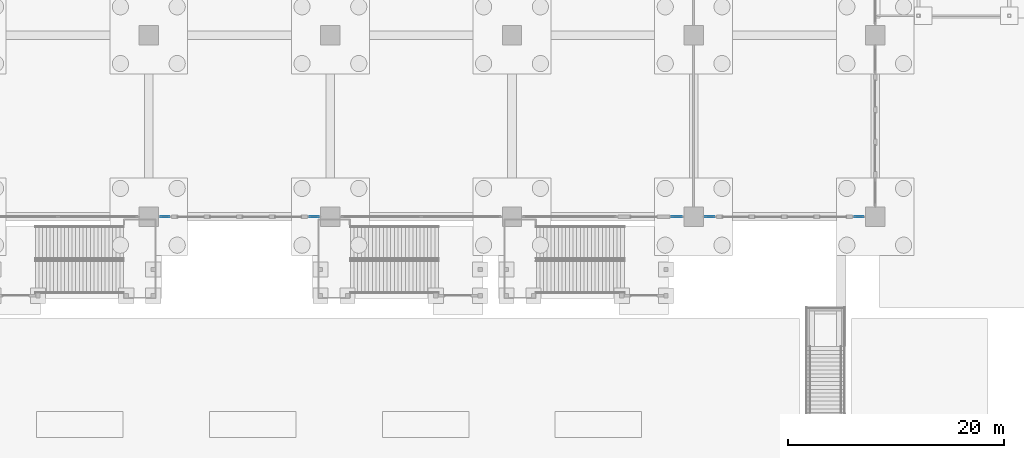
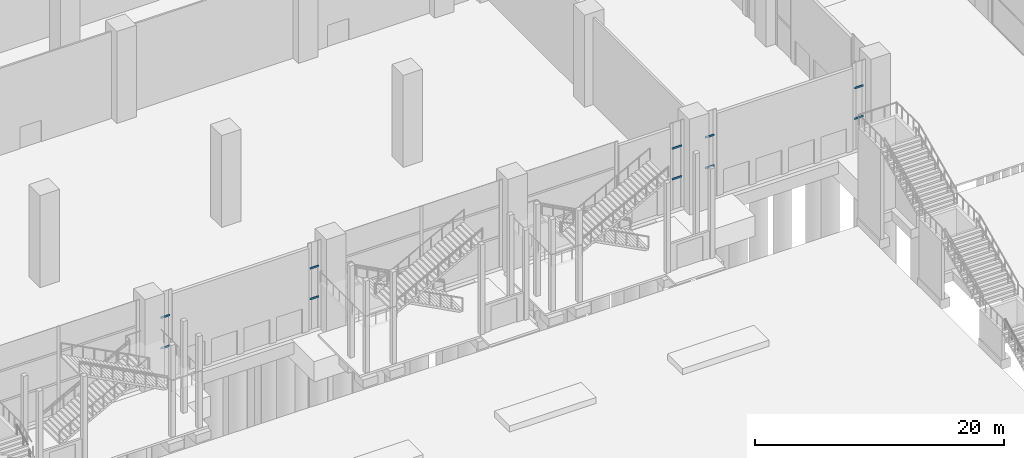
# One storey, part 28 of 72: 10 members, 5 elements without a shape of their own.
"""IFC4 building model written with IfcOpenShell, lengths in metres."""

from ifc_helpers import new_model, si_unit, direction, frame, origin, origin_2d, place, context, subcontext, project, spatial, rectangle, extrude, material, material_profile, profile_set, type_object, element, aggregate, save


model = new_model("IFC4")

# Units and contexts
model_context = context("Model", 3, precision=1e-05, world=origin(), true_north=direction((0.0, 1.0)))
body_context = subcontext(model_context, "Body", "Model", "MODEL_VIEW")
ifc_project = project(units=[si_unit("LENGTHUNIT", "METRE"), si_unit("AREAUNIT", "SQUARE_METRE"), si_unit("VOLUMEUNIT", "CUBIC_METRE"), si_unit("PLANEANGLEUNIT", "RADIAN"), si_unit("MASSUNIT", "GRAM", prefix="KILO")], contexts=[model_context])

# Site, building, storey
site_placement = place(None, origin())
site = spatial("IfcSite", under=ifc_project, at=site_placement, CompositionType="ELEMENT")
building_placement = place(site_placement, origin())
building = spatial("IfcBuilding", under=site, at=building_placement, Name="Candeia Pilgrim Tower and Theatre", CompositionType="ELEMENT")
storey_placement = place(building_placement, origin())
storey = spatial("IfcBuildingStorey", under=building, at=storey_placement, Name="L00", CompositionType="ELEMENT", Elevation=0.0)

# Curtain wall, members
ifc_material_1 = material(Name="Aluminium framed podium glazing", Category="aluminium")
curtain_wall_type = type_object("IfcCurtainWallType", Name="CW-P curtain wall", PredefinedType="NOTDEFINED", material=ifc_material_1)
curtain_wall_1_placement = place(storey_placement, origin())
curtain_wall_1 = element("IfcCurtainWall", 1, at=curtain_wall_1_placement, inside=storey, type_object=curtain_wall_type, Name="Curtain wall CW-P L00.300", PredefinedType="NOTDEFINED")
ifc_material_2 = material(Name="Anodised aluminium", Category="aluminium")
ifc_material_profile = material_profile(ifc_material_2, rectangle(XDim=0.080078125, YDim=0.179931640625, at=origin_2d()))
ifc_profile_set = profile_set([ifc_material_profile], Name="Anodised aluminium")
member_type = type_object("IfcMemberType", Name="CW-P transom 80x180", PredefinedType="USERDEFINED", material=ifc_profile_set)
member_1_placement = place(storey_placement, frame((158.510009765625, 64.39990234375, 3.0), z_axis=(-1.0, 0.0, 0.0), x_axis=(0.0, -1.0, 0.0)))
member_1 = element("IfcMember", 2, at=member_1_placement, type_object=member_type, Name="CW-P transom 1.1", ObjectType="TRANSOM", PredefinedType="USERDEFINED", context=body_context, shape_type="SweptSolid", body=[
    extrude(rectangle(XDim=0.080078125, YDim=0.179931640625, at=origin_2d()), origin(), (0.0, 0.0, 1.0), 0.820068359375),
])
member_2_placement = place(storey_placement, frame((158.510009765625, 64.39990234375, 6.0), z_axis=(-1.0, 0.0, 0.0), x_axis=(0.0, -1.0, 0.0)))
member_2 = element("IfcMember", 3, at=member_2_placement, type_object=member_type, Name="CW-P transom 1.2", ObjectType="TRANSOM", PredefinedType="USERDEFINED", context=body_context, shape_type="SweptSolid", body=[
    extrude(rectangle(XDim=0.080078125, YDim=0.179931640625, at=origin_2d()), origin(), (0.0, 0.0, 1.0), 0.820068359375),
])
aggregate(curtain_wall_1, [member_1, member_2])

curtain_wall_2_placement = place(storey_placement, origin())
curtain_wall_2 = element("IfcCurtainWall", 4, at=curtain_wall_2_placement, inside=storey, type_object=curtain_wall_type, Name="Curtain wall CW-P L00.301", PredefinedType="NOTDEFINED")
member_3_placement = place(storey_placement, frame((144.7099609375, 64.39990234375, 3.0), z_axis=(-1.0, 0.0, 0.0), x_axis=(0.0, -1.0, 0.0)))
member_3 = element("IfcMember", 5, at=member_3_placement, type_object=member_type, Name="CW-P transom 1.1", ObjectType="TRANSOM", PredefinedType="USERDEFINED", context=body_context, shape_type="SweptSolid", body=[
    extrude(rectangle(XDim=0.080078125, YDim=0.179931640625, at=origin_2d()), origin(), (0.0, 0.0, 1.0), 0.820068359375),
])
member_4_placement = place(storey_placement, frame((144.7099609375, 64.39990234375, 6.0), z_axis=(-1.0, 0.0, 0.0), x_axis=(0.0, -1.0, 0.0)))
member_4 = element("IfcMember", 6, at=member_4_placement, type_object=member_type, Name="CW-P transom 1.2", ObjectType="TRANSOM", PredefinedType="USERDEFINED", context=body_context, shape_type="SweptSolid", body=[
    extrude(rectangle(XDim=0.080078125, YDim=0.179931640625, at=origin_2d()), origin(), (0.0, 0.0, 1.0), 0.820068359375),
])
aggregate(curtain_wall_2, [member_3, member_4])

curtain_wall_3_placement = place(storey_placement, origin())
curtain_wall_3 = element("IfcCurtainWall", 7, at=curtain_wall_3_placement, inside=storey, type_object=curtain_wall_type, Name="Curtain wall CW-P L00.310", PredefinedType="NOTDEFINED")
member_5_placement = place(storey_placement, frame((141.7099609375, 64.39990234375, 3.0), z_axis=(-1.0, 0.0, 0.0), x_axis=(0.0, -1.0, 0.0)))
member_5 = element("IfcMember", 8, at=member_5_placement, type_object=member_type, Name="CW-P transom 1.1", ObjectType="TRANSOM", PredefinedType="USERDEFINED", context=body_context, shape_type="SweptSolid", body=[
    extrude(rectangle(XDim=0.080078125, YDim=0.179931640625, at=origin_2d()), origin(), (0.0, 0.0, 1.0), 0.919921875),
])
member_6_placement = place(storey_placement, frame((141.7099609375, 64.39990234375, 6.0), z_axis=(-1.0, 0.0, 0.0), x_axis=(0.0, -1.0, 0.0)))
member_6 = element("IfcMember", 9, at=member_6_placement, type_object=member_type, Name="CW-P transom 1.2", ObjectType="TRANSOM", PredefinedType="USERDEFINED", context=body_context, shape_type="SweptSolid", body=[
    extrude(rectangle(XDim=0.080078125, YDim=0.179931640625, at=origin_2d()), origin(), (0.0, 0.0, 1.0), 0.919921875),
])
aggregate(curtain_wall_3, [member_5, member_6])

curtain_wall_4_placement = place(storey_placement, origin())
curtain_wall_4 = element("IfcCurtainWall", 10, at=curtain_wall_4_placement, inside=storey, type_object=curtain_wall_type, Name="Curtain wall CW-P L00.330", PredefinedType="NOTDEFINED")
member_7_placement = place(storey_placement, frame((108.110107421875, 64.39990234375, 3.0), z_axis=(-1.0, 0.0, 0.0), x_axis=(0.0, -1.0, 0.0)))
member_7 = element("IfcMember", 11, at=member_7_placement, type_object=member_type, Name="CW-P transom 1.1", ObjectType="TRANSOM", PredefinedType="USERDEFINED", context=body_context, shape_type="SweptSolid", body=[
    extrude(rectangle(XDim=0.080078125, YDim=0.179931640625, at=origin_2d()), origin(), (0.0, 0.0, 1.0), 0.820068359375),
])
member_8_placement = place(storey_placement, frame((108.110107421875, 64.39990234375, 6.0), z_axis=(-1.0, 0.0, 0.0), x_axis=(0.0, -1.0, 0.0)))
member_8 = element("IfcMember", 12, at=member_8_placement, type_object=member_type, Name="CW-P transom 1.2", ObjectType="TRANSOM", PredefinedType="USERDEFINED", context=body_context, shape_type="SweptSolid", body=[
    extrude(rectangle(XDim=0.080078125, YDim=0.179931640625, at=origin_2d()), origin(), (0.0, 0.0, 1.0), 0.820068359375),
])
aggregate(curtain_wall_4, [member_7, member_8])

curtain_wall_5_placement = place(storey_placement, origin())
curtain_wall_5 = element("IfcCurtainWall", 13, at=curtain_wall_5_placement, inside=storey, type_object=curtain_wall_type, Name="Curtain wall CW-P L00.331", PredefinedType="NOTDEFINED")
member_9_placement = place(storey_placement, frame((94.31005859375, 64.39990234375, 3.0), z_axis=(-1.0, 0.0, 0.0), x_axis=(0.0, -1.0, 0.0)))
member_9 = element("IfcMember", 14, at=member_9_placement, type_object=member_type, Name="CW-P transom 1.1", ObjectType="TRANSOM", PredefinedType="USERDEFINED", context=body_context, shape_type="SweptSolid", body=[
    extrude(rectangle(XDim=0.080078125, YDim=0.179931640625, at=origin_2d()), origin(), (0.0, 0.0, 1.0), 0.820068359375),
])
member_10_placement = place(storey_placement, frame((94.31005859375, 64.39990234375, 6.0), z_axis=(-1.0, 0.0, 0.0), x_axis=(0.0, -1.0, 0.0)))
member_10 = element("IfcMember", 15, at=member_10_placement, type_object=member_type, Name="CW-P transom 1.2", ObjectType="TRANSOM", PredefinedType="USERDEFINED", context=body_context, shape_type="SweptSolid", body=[
    extrude(rectangle(XDim=0.080078125, YDim=0.179931640625, at=origin_2d()), origin(), (0.0, 0.0, 1.0), 0.820068359375),
])
aggregate(curtain_wall_5, [member_9, member_10])

save(model, "model.ifc")
